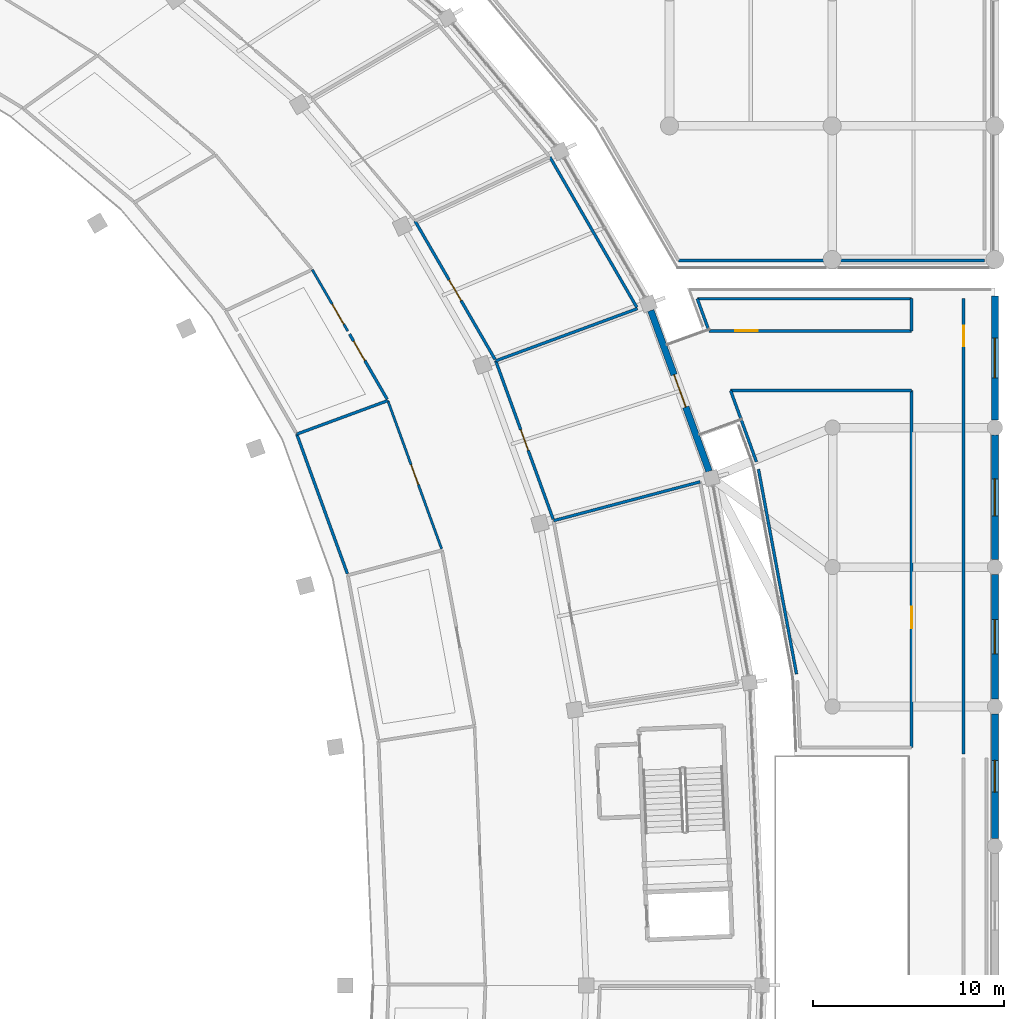
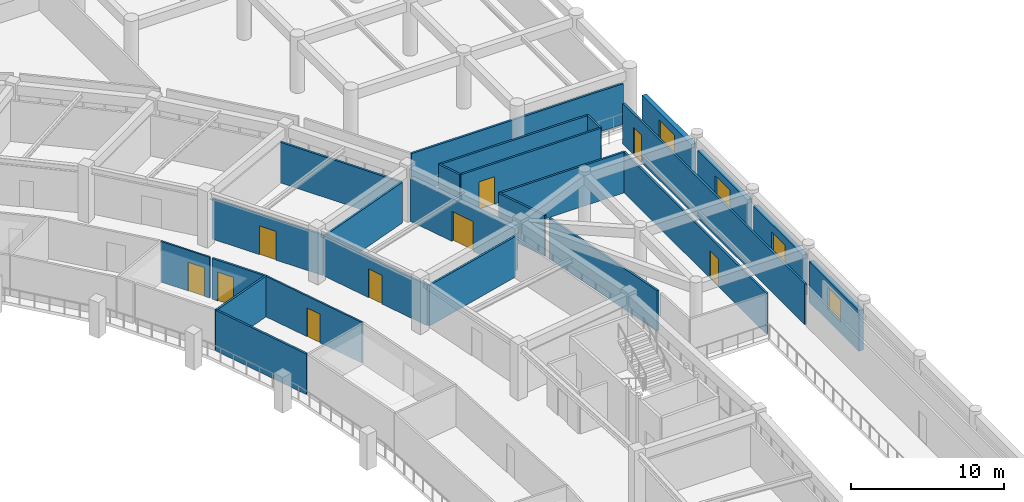
# One storey, part 102 of 141: 25 walls, 9 doors, 4 windows, 13 openings.
"""IFC4 building model written with IfcOpenShell, lengths in metres."""

from ifc_helpers import new_model, si_unit, direction, frame, frame_2d, origin, place, context, subcontext, project, spatial, rectangle, extrude, material, layer, layer_set, type_object, element, fill, save


model = new_model("IFC4")

# Units and contexts
model_context = context("Model", 3, precision=1e-05, world=origin(), true_north=direction((0.0, 1.0)))
body_context = subcontext(model_context, "Body", "Model", "MODEL_VIEW")
ifc_project = project(units=[si_unit("LENGTHUNIT", "METRE"), si_unit("AREAUNIT", "SQUARE_METRE"), si_unit("VOLUMEUNIT", "CUBIC_METRE"), si_unit("PLANEANGLEUNIT", "RADIAN"), si_unit("MASSUNIT", "GRAM", prefix="KILO")], contexts=[model_context])

# Site, building, storey
site_placement = place(None, origin())
site = spatial("IfcSite", under=ifc_project, at=site_placement, CompositionType="ELEMENT")
building_placement = place(site_placement, origin())
building = spatial("IfcBuilding", under=site, at=building_placement, Name="Mphavela Belvedere Stadium", CompositionType="ELEMENT")
storey_placement = place(building_placement, frame((0.0, 0.0, 14.699951171875)))
storey = spatial("IfcBuildingStorey", under=building, at=storey_placement, Name="L03", CompositionType="ELEMENT", Elevation=14.699951171875)

# Wall, opening, door
ifc_material_1 = material(Name="Honed ashlar limestone masonry", Category="masonry")
ifc_layer_1 = layer(ifc_material_1, 0.35009765625)
ifc_layer_set_1 = layer_set([ifc_layer_1], Name="Honed ashlar limestone masonry")
wall_type_1 = type_object("IfcWallType", Name="WAL-EXT-ASHLAR-350", PredefinedType="STANDARD", material=ifc_layer_set_1)
wall_1_placement = place(storey_placement, frame((211.9833984375, 122.331787109375, 0.0), z_axis=(0.0, 0.0, 1.0), x_axis=(0.341014063491, -0.94005819421, 0.0)))
wall_1 = element("IfcWall", 1, at=wall_1_placement, inside=storey, type_object=wall_type_1, Name="Classical link portal wall L03-03", PredefinedType="STANDARD", context=body_context, shape_type="SweptSolid", body=[
    extrude(rectangle(XDim=8.95556640625, YDim=0.35009765625, at=frame_2d((4.477783203125, 0.0))), origin(), (0.0, 0.0, 1.0), 3.420166015625),
])
opening_1_placement = place(wall_1_placement, frame((3.57763671875, 0.0, 0.0)))
opening_1 = element("IfcOpeningElement", 2, at=opening_1_placement, cuts=wall_1, Name="Opening ID-9302", PredefinedType="OPENING", context=body_context, shape_type="SweptSolid", body=[
    extrude(rectangle(XDim=1.800048828125, YDim=2.39990234375, at=frame_2d((0.89990234375, 1.199951171875))), frame((0.0, 0.18505859375, 0.0), z_axis=(0.0, -1.0, 0.0), x_axis=(1.0, 0.0, 0.0)), (0.0, 0.0, 1.0), 0.3701171875),
])
ifc_material_2 = material(Name="Glazed bronze-anodised steel exit doorset", Category="steel")
door_type_1 = type_object("IfcDoorType", Name="DR-EXT-01", OperationType="NOTDEFINED", PredefinedType="DOOR", material=ifc_material_2)
door_1_placement = place(opening_1_placement, origin())
door_1 = element("IfcDoor", 3, at=door_1_placement, inside=storey, type_object=door_type_1, Name="Wing promenade link doorset L03-03", OperationType="DOUBLE_DOOR_SINGLE_SWING", OverallHeight=2.39990234375, OverallWidth=1.800048828125, PredefinedType="DOOR", context=body_context, shape_type="SweptSolid", body=[
    extrude(rectangle(XDim=1.800048828125, YDim=2.39990234375, at=frame_2d((0.89990234375, 1.199951171875))), frame((0.0, 0.02490234375, 0.0), z_axis=(0.0, -1.0, 0.0), x_axis=(1.0, 0.0, 0.0)), (0.0, 0.0, 1.0), 0.050048828125),
])
fill(opening_1, door_1)

# Wall, opening, window
wall_2_placement = place(storey_placement, frame((230.0, 101.201904296875, 0.0), z_axis=(0.0, 0.0, 1.0), x_axis=(0.0, -1.0, 0.0)))
wall_2 = element("IfcWall", 4, at=wall_2_placement, inside=storey, type_object=wall_type_1, Name="East Planted Eaves Peristyle Colonnade outer facade bay L03-07", PredefinedType="STANDARD", context=body_context, shape_type="SweptSolid", body=[
    extrude(rectangle(XDim=6.50390625, YDim=0.35009765625, at=frame_2d((3.251953125, 0.0))), origin(), (0.0, 0.0, 1.0), 3.260009765625),
])
opening_2_placement = place(wall_2_placement, frame((2.422119140625, 0.0, 0.89990234375)))
opening_2 = element("IfcOpeningElement", 5, at=opening_2_placement, cuts=wall_2, Name="Opening W-324", PredefinedType="OPENING", context=body_context, shape_type="SweptSolid", body=[
    extrude(rectangle(XDim=1.659912109375, YDim=1.75, at=frame_2d((0.830078125, 0.875))), frame((0.0, 0.18505859375, 0.0), z_axis=(0.0, -1.0, 0.0), x_axis=(1.0, 0.0, 0.0)), (0.0, 0.0, 1.0), 0.3701171875),
])
ifc_material_3 = material(Name="Bronze-anodised thermally broken aluminium window", Category="aluminium")
window_type_1 = type_object("IfcWindowType", Name="WIN-EXT-16", PartitioningType="SINGLE_PANEL", PredefinedType="WINDOW", material=ifc_material_3)
window_1_placement = place(opening_2_placement, origin())
window_1 = element("IfcWindow", 6, at=window_1_placement, inside=storey, type_object=window_type_1, Name="East Planted Eaves Peristyle Colonnade classical window W-324", OverallHeight=1.75, OverallWidth=1.659912109375, PartitioningType="SINGLE_PANEL", PredefinedType="WINDOW", context=body_context, shape_type="SweptSolid", body=[
    extrude(rectangle(XDim=1.659912109375, YDim=1.75, at=frame_2d((0.830078125, 0.875))), frame((0.0, 0.030029296875, 0.0), z_axis=(0.0, -1.0, 0.0), x_axis=(1.0, 0.0, 0.0)), (0.0, 0.0, 1.0), 0.06005859375),
])
fill(opening_2, window_1)

wall_3_placement = place(storey_placement, frame((230.0, 108.501953125, 0.0), z_axis=(0.0, 0.0, 1.0), x_axis=(0.0, -1.0, 0.0)))
wall_3 = element("IfcWall", 7, at=wall_3_placement, inside=storey, type_object=wall_type_1, Name="East Planted Eaves Peristyle Colonnade outer facade bay L03-08", PredefinedType="STANDARD", context=body_context, shape_type="SweptSolid", body=[
    extrude(rectangle(XDim=6.50390625, YDim=0.35009765625, at=frame_2d((3.251953125, 0.0))), origin(), (0.0, 0.0, 1.0), 3.260009765625),
])
opening_3_placement = place(wall_3_placement, frame((2.35205078125, 0.0, 0.89990234375)))
opening_3 = element("IfcOpeningElement", 8, at=opening_3_placement, cuts=wall_3, Name="Opening W-325", PredefinedType="OPENING", context=body_context, shape_type="SweptSolid", body=[
    extrude(rectangle(XDim=1.800048828125, YDim=1.75, at=frame_2d((0.89990234375, 0.875))), frame((0.0, 0.18505859375, 0.0), z_axis=(0.0, -1.0, 0.0), x_axis=(1.0, 0.0, 0.0)), (0.0, 0.0, 1.0), 0.3701171875),
])
ifc_material_4 = material(Name="Bronze-anodised thermally broken aluminium window", Category="aluminium")
window_type_2 = type_object("IfcWindowType", Name="WIN-EXT-17", PartitioningType="SINGLE_PANEL", PredefinedType="WINDOW", material=ifc_material_4)
window_2_placement = place(opening_3_placement, origin())
window_2 = element("IfcWindow", 9, at=window_2_placement, inside=storey, type_object=window_type_2, Name="East Planted Eaves Peristyle Colonnade classical window W-325", OverallHeight=1.75, OverallWidth=1.800048828125, PartitioningType="SINGLE_PANEL", PredefinedType="WINDOW", context=body_context, shape_type="SweptSolid", body=[
    extrude(rectangle(XDim=1.800048828125, YDim=1.75, at=frame_2d((0.89990234375, 0.875))), frame((0.0, 0.030029296875, 0.0), z_axis=(0.0, -1.0, 0.0), x_axis=(1.0, 0.0, 0.0)), (0.0, 0.0, 1.0), 0.06005859375),
])
fill(opening_3, window_2)

wall_4_placement = place(storey_placement, frame((230.0, 115.802001953125, 0.0), z_axis=(0.0, 0.0, 1.0), x_axis=(0.0, -1.0, 0.0)))
wall_4 = element("IfcWall", 10, at=wall_4_placement, inside=storey, type_object=wall_type_1, Name="East Planted Eaves Peristyle Colonnade outer facade bay L03-09", PredefinedType="STANDARD", context=body_context, shape_type="SweptSolid", body=[
    extrude(rectangle(XDim=6.50390625, YDim=0.35009765625, at=frame_2d((3.251953125, 0.0))), origin(), (0.0, 0.0, 1.0), 3.260009765625),
])
opening_4_placement = place(wall_4_placement, frame((2.281982421875, 0.0, 0.89990234375)))
opening_4 = element("IfcOpeningElement", 11, at=opening_4_placement, cuts=wall_4, Name="Opening W-326", PredefinedType="OPENING", context=body_context, shape_type="SweptSolid", body=[
    extrude(rectangle(XDim=1.93994140625, YDim=1.75, at=frame_2d((0.969970703125, 0.875))), frame((0.0, 0.18505859375, 0.0), z_axis=(0.0, -1.0, 0.0), x_axis=(1.0, 0.0, 0.0)), (0.0, 0.0, 1.0), 0.3701171875),
])
ifc_material_5 = material(Name="Bronze-anodised thermally broken aluminium window", Category="aluminium")
window_type_3 = type_object("IfcWindowType", Name="WIN-EXT-18", PartitioningType="SINGLE_PANEL", PredefinedType="WINDOW", material=ifc_material_5)
window_3_placement = place(opening_4_placement, origin())
window_3 = element("IfcWindow", 12, at=window_3_placement, inside=storey, type_object=window_type_3, Name="East Planted Eaves Peristyle Colonnade classical window W-326", OverallHeight=1.75, OverallWidth=1.93994140625, PartitioningType="SINGLE_PANEL", PredefinedType="WINDOW", context=body_context, shape_type="SweptSolid", body=[
    extrude(rectangle(XDim=1.93994140625, YDim=1.75, at=frame_2d((0.969970703125, 0.875))), frame((0.0, 0.030029296875, 0.0), z_axis=(0.0, -1.0, 0.0), x_axis=(1.0, 0.0, 0.0)), (0.0, 0.0, 1.0), 0.06005859375),
])
fill(opening_4, window_3)

wall_5_placement = place(storey_placement, frame((230.0, 123.10205078125, 0.0), z_axis=(0.0, 0.0, 1.0), x_axis=(0.0, -1.0, 0.0)))
wall_5 = element("IfcWall", 13, at=wall_5_placement, inside=storey, type_object=wall_type_1, Name="East Planted Eaves Peristyle Colonnade outer facade bay L03-10", PredefinedType="STANDARD", context=body_context, shape_type="SweptSolid", body=[
    extrude(rectangle(XDim=6.504150390625, YDim=0.35009765625, at=frame_2d((3.251953125, 0.0))), origin(), (0.0, 0.0, 1.0), 3.260009765625),
])
opening_5_placement = place(wall_5_placement, frame((2.2119140625, 0.0, 0.89990234375)))
opening_5 = element("IfcOpeningElement", 14, at=opening_5_placement, cuts=wall_5, Name="Opening W-327", PredefinedType="OPENING", context=body_context, shape_type="SweptSolid", body=[
    extrude(rectangle(XDim=2.080078125, YDim=1.75, at=frame_2d((1.0400390625, 0.875))), frame((0.0, 0.18505859375, 0.0), z_axis=(0.0, -1.0, 0.0), x_axis=(1.0, 0.0, 0.0)), (0.0, 0.0, 1.0), 0.3701171875),
])
ifc_material_6 = material(Name="Bronze-anodised thermally broken aluminium window", Category="aluminium")
window_type_4 = type_object("IfcWindowType", Name="WIN-EXT-19", PartitioningType="SINGLE_PANEL", PredefinedType="WINDOW", material=ifc_material_6)
window_4_placement = place(opening_5_placement, origin())
window_4 = element("IfcWindow", 15, at=window_4_placement, inside=storey, type_object=window_type_4, Name="East Planted Eaves Peristyle Colonnade classical window W-327", OverallHeight=1.75, OverallWidth=2.080078125, PartitioningType="SINGLE_PANEL", PredefinedType="WINDOW", context=body_context, shape_type="SweptSolid", body=[
    extrude(rectangle(XDim=2.080078125, YDim=1.75, at=frame_2d((1.0400390625, 0.875))), frame((0.0, 0.030029296875, 0.0), z_axis=(0.0, -1.0, 0.0), x_axis=(1.0, 0.0, 0.0)), (0.0, 0.0, 1.0), 0.06005859375),
])
fill(opening_5, window_4)

# Wall, opening, door
ifc_material_7 = material(Name="Moisture-resistant sanitary partition assembly")
ifc_layer_2 = layer(ifc_material_7, 0.125)
ifc_layer_set_2 = layer_set([ifc_layer_2], Name="Moisture-resistant sanitary partition assembly")
wall_type_2 = type_object("IfcWallType", Name="WAL-PART-125", PredefinedType="PARTITIONING", material=ifc_layer_set_2)
wall_6_placement = place(storey_placement, frame((198.217529296875, 117.615234375, 0.0), z_axis=(0.0, 0.0, 1.0), x_axis=(0.341044733968, -0.940047067669, 0.0)))
wall_6 = element("IfcWall", 16, at=wall_6_placement, inside=storey, type_object=wall_type_2, Name="Room L03-39 corridor partition", PredefinedType="PARTITIONING", context=body_context, shape_type="SweptSolid", body=[
    extrude(rectangle(XDim=8.25390625, YDim=0.125, at=frame_2d((4.126953125, 0.0))), origin(), (0.0, 0.0, 1.0), 3.25),
])
opening_6_placement = place(wall_6_placement, frame((3.576904296875, 0.0, 0.0)))
opening_6 = element("IfcOpeningElement", 17, at=opening_6_placement, cuts=wall_6, Name="Opening ID-246", PredefinedType="OPENING", context=body_context, shape_type="SweptSolid", body=[
    extrude(rectangle(XDim=1.10009765625, YDim=2.300048828125, at=frame_2d((0.550048828125, 1.14990234375))), frame((0.0, 0.072509765625, 0.0), z_axis=(0.0, -1.0, 0.0), x_axis=(1.0, 0.0, 0.0)), (0.0, 0.0, 1.0), 0.14501953125),
])
ifc_material_8 = material(Name="Hardwood acoustic timber doorset", Category="wood")
door_type_2 = type_object("IfcDoorType", Name="DR-INT-30", OperationType="NOTDEFINED", PredefinedType="DOOR", material=ifc_material_8)
door_2_placement = place(opening_6_placement, origin())
door_2 = element("IfcDoor", 18, at=door_2_placement, inside=storey, type_object=door_type_2, Name="Room L03-39 entrance door ID-246", OperationType="SINGLE_SWING_RIGHT", OverallHeight=2.300048828125, OverallWidth=1.10009765625, PredefinedType="DOOR", context=body_context, shape_type="SweptSolid", body=[
    extrude(rectangle(XDim=1.10009765625, YDim=2.300048828125, at=frame_2d((0.550048828125, 1.14990234375))), frame((0.0, 0.02490234375, 0.0), z_axis=(0.0, -1.0, 0.0), x_axis=(1.0, 0.0, 0.0)), (0.0, 0.0, 1.0), 0.050048828125),
])
fill(opening_6, door_2)

wall_7_placement = place(storey_placement, frame((194.260009765625, 124.47216796875, 0.0), z_axis=(0.0, 0.0, 1.0), x_axis=(0.500582967596, -0.865688565566, 0.0)))
wall_7 = element("IfcWall", 19, at=wall_7_placement, inside=storey, type_object=wall_type_2, Name="Room L03-43 corridor partition", PredefinedType="PARTITIONING", context=body_context, shape_type="SweptSolid", body=[
    extrude(rectangle(XDim=3.7158203125, YDim=0.125, at=frame_2d((1.85791015625, 0.0))), origin(), (0.0, 0.0, 1.0), 3.25),
])
opening_7_placement = place(wall_7_placement, frame((2.0830078125, 0.0, 0.0)))
opening_7 = element("IfcOpeningElement", 20, at=opening_7_placement, cuts=wall_7, Name="Opening ID-249", PredefinedType="OPENING", context=body_context, shape_type="SweptSolid", body=[
    extrude(rectangle(XDim=1.219970703125, YDim=2.300048828125, at=frame_2d((0.60986328125, 1.14990234375))), frame((0.0, 0.072509765625, 0.0), z_axis=(0.0, -1.0, 0.0), x_axis=(1.0, 0.0, 0.0)), (0.0, 0.0, 1.0), 0.14501953125),
])
ifc_material_9 = material(Name="Hardwood acoustic timber doorset", Category="wood")
door_type_3 = type_object("IfcDoorType", Name="DR-INT-33", OperationType="NOTDEFINED", PredefinedType="DOOR", material=ifc_material_9)
door_3_placement = place(opening_7_placement, origin())
door_3 = element("IfcDoor", 21, at=door_3_placement, inside=storey, type_object=door_type_3, Name="Room L03-43 entrance door ID-249", OperationType="SINGLE_SWING_LEFT", OverallHeight=2.300048828125, OverallWidth=1.219970703125, PredefinedType="DOOR", context=body_context, shape_type="SweptSolid", body=[
    extrude(rectangle(XDim=1.219970703125, YDim=2.300048828125, at=frame_2d((0.60986328125, 1.14990234375))), frame((0.0, 0.02490234375, 0.0), z_axis=(0.0, -1.0, 0.0), x_axis=(1.0, 0.0, 0.0)), (0.0, 0.0, 1.0), 0.050048828125),
])
fill(opening_7, door_3)

ifc_material_10 = material(Name="Acoustic gypsum stud partition assembly")
ifc_layer_3 = layer(ifc_material_10, 0.14990234375)
ifc_layer_set_3 = layer_set([ifc_layer_3], Name="Acoustic gypsum stud partition assembly")
wall_type_3 = type_object("IfcWallType", Name="WAL-PART-150", PredefinedType="PARTITIONING", material=ifc_layer_set_3)
wall_8_placement = place(storey_placement, frame((206.874267578125, 111.4052734375, 0.0), z_axis=(0.0, 0.0, 1.0), x_axis=(-0.341031741571, 0.940051781149, 0.0)))
wall_8 = element("IfcWall", 22, at=wall_8_placement, inside=storey, type_object=wall_type_3, Name="Room L03-40 corridor partition", PredefinedType="PARTITIONING", context=body_context, shape_type="SweptSolid", body=[
    extrude(rectangle(XDim=8.81982421875, YDim=0.14990234375, at=frame_2d((4.409912109375, 0.0))), origin(), (0.0, 0.0, 1.0), 3.25),
])
opening_8_placement = place(wall_8_placement, frame((3.83984375, 0.0, 0.0)))
opening_8 = element("IfcOpeningElement", 23, at=opening_8_placement, cuts=wall_8, Name="Opening ID-247", PredefinedType="OPENING", context=body_context, shape_type="SweptSolid", body=[
    extrude(rectangle(XDim=1.139892578125, YDim=2.300048828125, at=frame_2d((0.56982421875, 1.14990234375))), frame((0.0, 0.0849609375, 0.0), z_axis=(0.0, -1.0, 0.0), x_axis=(1.0, 0.0, 0.0)), (0.0, 0.0, 1.0), 0.169921875),
])
ifc_material_11 = material(Name="Hardwood acoustic timber doorset", Category="wood")
door_type_4 = type_object("IfcDoorType", Name="DR-INT-31", OperationType="NOTDEFINED", PredefinedType="DOOR", material=ifc_material_11)
door_4_placement = place(opening_8_placement, origin())
door_4 = element("IfcDoor", 24, at=door_4_placement, inside=storey, type_object=door_type_4, Name="Room L03-40 entrance door ID-247", OperationType="SINGLE_SWING_LEFT", OverallHeight=2.300048828125, OverallWidth=1.139892578125, PredefinedType="DOOR", context=body_context, shape_type="SweptSolid", body=[
    extrude(rectangle(XDim=1.139892578125, YDim=2.300048828125, at=frame_2d((0.56982421875, 1.14990234375))), frame((0.0, 0.02490234375, 0.0), z_axis=(0.0, -1.0, 0.0), x_axis=(1.0, 0.0, 0.0)), (0.0, 0.0, 1.0), 0.050048828125),
])
fill(opening_8, door_4)

wall_9_placement = place(storey_placement, frame((196.212646484375, 121.09521484375, 0.0), z_axis=(0.0, 0.0, 1.0), x_axis=(0.500601005137, -0.865678135138, 0.0)))
wall_9 = element("IfcWall", 25, at=wall_9_placement, inside=storey, type_object=wall_type_3, Name="Room L03-42 corridor partition", PredefinedType="PARTITIONING", context=body_context, shape_type="SweptSolid", body=[
    extrude(rectangle(XDim=3.936279296875, YDim=0.14990234375, at=frame_2d((1.96826171875, 0.0))), origin(), (0.0, 0.0, 1.0), 3.25),
])
opening_9_placement = place(wall_9_placement, frame((0.42578125, 0.0, 0.0)))
opening_9 = element("IfcOpeningElement", 26, at=opening_9_placement, cuts=wall_9, Name="Opening ID-248", PredefinedType="OPENING", context=body_context, shape_type="SweptSolid", body=[
    extrude(rectangle(XDim=1.179931640625, YDim=2.300048828125, at=frame_2d((0.58984375, 1.14990234375))), frame((0.0, 0.0849609375, 0.0), z_axis=(0.0, -1.0, 0.0), x_axis=(1.0, 0.0, 0.0)), (0.0, 0.0, 1.0), 0.169921875),
])
ifc_material_12 = material(Name="Hardwood acoustic timber doorset", Category="wood")
door_type_5 = type_object("IfcDoorType", Name="DR-INT-32", OperationType="NOTDEFINED", PredefinedType="DOOR", material=ifc_material_12)
door_5_placement = place(opening_9_placement, origin())
door_5 = element("IfcDoor", 27, at=door_5_placement, inside=storey, type_object=door_type_5, Name="Room L03-42 entrance door ID-248", OperationType="SINGLE_SWING_RIGHT", OverallHeight=2.300048828125, OverallWidth=1.179931640625, PredefinedType="DOOR", context=body_context, shape_type="SweptSolid", body=[
    extrude(rectangle(XDim=1.179931640625, YDim=2.300048828125, at=frame_2d((0.58984375, 1.14990234375))), frame((0.0, 0.02490234375, 0.0), z_axis=(0.0, -1.0, 0.0), x_axis=(1.0, 0.0, 0.0)), (0.0, 0.0, 1.0), 0.050048828125),
])
fill(opening_9, door_5)

wall_10_placement = place(storey_placement, frame((203.8330078125, 119.769287109375, 0.0), z_axis=(0.0, 0.0, 1.0), x_axis=(-0.500559280672, 0.865702262059, 0.0)))
wall_10 = element("IfcWall", 28, at=wall_10_placement, inside=storey, type_object=wall_type_3, Name="Room L03-44 corridor partition", PredefinedType="PARTITIONING", context=body_context, shape_type="SweptSolid", body=[
    extrude(rectangle(XDim=8.37451171875, YDim=0.14990234375, at=frame_2d((4.187255859375, 0.0))), origin(), (0.0, 0.0, 1.0), 3.25),
])
opening_10_placement = place(wall_10_placement, frame((3.557373046875, 0.0, 0.0)))
opening_10 = element("IfcOpeningElement", 29, at=opening_10_placement, cuts=wall_10, Name="Opening ID-250", PredefinedType="OPENING", context=body_context, shape_type="SweptSolid", body=[
    extrude(rectangle(XDim=1.260009765625, YDim=2.300048828125, at=frame_2d((0.6298828125, 1.14990234375))), frame((0.0, 0.0849609375, 0.0), z_axis=(0.0, -1.0, 0.0), x_axis=(1.0, 0.0, 0.0)), (0.0, 0.0, 1.0), 0.169921875),
])
ifc_material_13 = material(Name="Hardwood acoustic timber doorset", Category="wood")
door_type_6 = type_object("IfcDoorType", Name="DR-INT-34", OperationType="NOTDEFINED", PredefinedType="DOOR", material=ifc_material_13)
door_6_placement = place(opening_10_placement, origin())
door_6 = element("IfcDoor", 30, at=door_6_placement, inside=storey, type_object=door_type_6, Name="Room L03-44 entrance door ID-250", OperationType="SINGLE_SWING_RIGHT", OverallHeight=2.300048828125, OverallWidth=1.260009765625, PredefinedType="DOOR", context=body_context, shape_type="SweptSolid", body=[
    extrude(rectangle(XDim=1.260009765625, YDim=2.300048828125, at=frame_2d((0.6298828125, 1.14990234375))), frame((0.0, 0.02490234375, 0.0), z_axis=(0.0, -1.0, 0.0), x_axis=(1.0, 0.0, 0.0)), (0.0, 0.0, 1.0), 0.050048828125),
])
fill(opening_10, door_6)

wall_11_placement = place(storey_placement, frame((228.360107421875, 99.11669921875, 0.0), z_axis=(0.0, 0.0, 1.0), x_axis=(0.0, 1.0, 0.0)))
wall_11 = element("IfcWall", 31, at=wall_11_placement, inside=storey, type_object=wall_type_3, Name="Room L03-204 corridor partition", PredefinedType="PARTITIONING", context=body_context, shape_type="SweptSolid", body=[
    extrude(rectangle(XDim=23.833251953125, YDim=0.14990234375, at=frame_2d((11.91650390625, 0.0))), origin(), (0.0, 0.0, 1.0), 3.25),
])
opening_11_placement = place(wall_11_placement, frame((21.3466796875, 0.0, 0.0)))
opening_11 = element("IfcOpeningElement", 32, at=opening_11_placement, cuts=wall_11, Name="Opening ID-557", PredefinedType="OPENING", context=body_context, shape_type="SweptSolid", body=[
    extrude(rectangle(XDim=1.06005859375, YDim=2.199951171875, at=frame_2d((0.530029296875, 1.10009765625))), frame((0.0, 0.0849609375, 0.0), z_axis=(0.0, -1.0, 0.0), x_axis=(1.0, 0.0, 0.0)), (0.0, 0.0, 1.0), 0.169921875),
])
ifc_material_14 = material(Name="Hardwood acoustic timber doorset", Category="wood")
door_type_7 = type_object("IfcDoorType", Name="DR-INT-17", OperationType="NOTDEFINED", PredefinedType="DOOR", material=ifc_material_14)
door_7_placement = place(opening_11_placement, origin())
door_7 = element("IfcDoor", 33, at=door_7_placement, inside=storey, type_object=door_type_7, Name="Room L03-204 entrance door ID-557", OperationType="SINGLE_SWING_LEFT", OverallHeight=2.199951171875, OverallWidth=1.06005859375, PredefinedType="DOOR", context=body_context, shape_type="SweptSolid", body=[
    extrude(rectangle(XDim=1.06005859375, YDim=2.199951171875, at=frame_2d((0.530029296875, 1.10009765625))), frame((0.0, 0.02490234375, 0.0), z_axis=(0.0, -1.0, 0.0), x_axis=(1.0, 0.0, 0.0)), (0.0, 0.0, 1.0), 0.050048828125),
])
fill(opening_11, door_7)

wall_12_placement = place(storey_placement, frame((225.639892578125, 118.139892578125, 0.0), z_axis=(0.0, 0.0, 1.0), x_axis=(0.0, -1.0, 0.0)))
wall_12 = element("IfcWall", 34, at=wall_12_placement, inside=storey, type_object=wall_type_3, Name="Room L03-206 corridor partition", PredefinedType="PARTITIONING", context=body_context, shape_type="SweptSolid", body=[
    extrude(rectangle(XDim=18.68994140625, YDim=0.14990234375, at=frame_2d((9.344970703125, 0.0))), origin(), (0.0, 0.0, 1.0), 3.25),
])
opening_12_placement = place(wall_12_placement, frame((11.3115234375, 0.0, 0.0)))
opening_12 = element("IfcOpeningElement", 35, at=opening_12_placement, cuts=wall_12, Name="Opening ID-559", PredefinedType="OPENING", context=body_context, shape_type="SweptSolid", body=[
    extrude(rectangle(XDim=1.139892578125, YDim=2.199951171875, at=frame_2d((0.56982421875, 1.10009765625))), frame((0.0, 0.0849609375, 0.0), z_axis=(0.0, -1.0, 0.0), x_axis=(1.0, 0.0, 0.0)), (0.0, 0.0, 1.0), 0.169921875),
])
ifc_material_15 = material(Name="Hardwood acoustic timber doorset", Category="wood")
door_type_8 = type_object("IfcDoorType", Name="DR-INT-19", OperationType="NOTDEFINED", PredefinedType="DOOR", material=ifc_material_15)
door_8_placement = place(opening_12_placement, origin())
door_8 = element("IfcDoor", 36, at=door_8_placement, inside=storey, type_object=door_type_8, Name="Room L03-206 entrance door ID-559", OperationType="SINGLE_SWING_LEFT", OverallHeight=2.199951171875, OverallWidth=1.139892578125, PredefinedType="DOOR", context=body_context, shape_type="SweptSolid", body=[
    extrude(rectangle(XDim=1.139892578125, YDim=2.199951171875, at=frame_2d((0.56982421875, 1.10009765625))), frame((0.0, 0.02490234375, 0.0), z_axis=(0.0, -1.0, 0.0), x_axis=(1.0, 0.0, 0.0)), (0.0, 0.0, 1.0), 0.050048828125),
])
fill(opening_12, door_8)

wall_13_placement = place(storey_placement, frame((225.639892578125, 121.260009765625, 0.0), z_axis=(0.0, 0.0, 1.0), x_axis=(-1.0, 0.0, 0.0)))
wall_13 = element("IfcWall", 37, at=wall_13_placement, inside=storey, type_object=wall_type_3, Name="Room L03-207 corridor partition", PredefinedType="PARTITIONING", context=body_context, shape_type="SweptSolid", body=[
    extrude(rectangle(XDim=10.6083984375, YDim=0.14990234375, at=frame_2d((5.30419921875, 0.0))), origin(), (0.0, 0.0, 1.0), 3.25),
])
opening_13_placement = place(wall_13_placement, frame((8.053955078125, 0.0, 0.0)))
opening_13 = element("IfcOpeningElement", 38, at=opening_13_placement, cuts=wall_13, Name="Opening ID-560", PredefinedType="OPENING", context=body_context, shape_type="SweptSolid", body=[
    extrude(rectangle(XDim=1.179931640625, YDim=2.199951171875, at=frame_2d((0.58984375, 1.10009765625))), frame((0.0, 0.0849609375, 0.0), z_axis=(0.0, -1.0, 0.0), x_axis=(1.0, 0.0, 0.0)), (0.0, 0.0, 1.0), 0.169921875),
])
ifc_material_16 = material(Name="Hardwood acoustic timber doorset", Category="wood")
door_type_9 = type_object("IfcDoorType", Name="DR-INT-20", OperationType="NOTDEFINED", PredefinedType="DOOR", material=ifc_material_16)
door_9_placement = place(opening_13_placement, origin())
door_9 = element("IfcDoor", 39, at=door_9_placement, inside=storey, type_object=door_type_9, Name="Room L03-207 entrance door ID-560", OperationType="SINGLE_SWING_RIGHT", OverallHeight=2.199951171875, OverallWidth=1.179931640625, PredefinedType="DOOR", context=body_context, shape_type="SweptSolid", body=[
    extrude(rectangle(XDim=1.179931640625, YDim=2.199951171875, at=frame_2d((0.58984375, 1.10009765625))), frame((0.0, 0.02490234375, 0.0), z_axis=(0.0, -1.0, 0.0), x_axis=(1.0, 0.0, 0.0)), (0.0, 0.0, 1.0), 0.050048828125),
])
fill(opening_13, door_9)

# Walls
wall_14_placement = place(storey_placement, frame((206.895263671875, 111.328125, 0.0), z_axis=(0.0, 0.0, 1.0), x_axis=(0.966593450181, 0.25631445934, 0.0)))
element("IfcWall", 40, at=wall_14_placement, inside=storey, type_object=wall_type_3, Name="Room divider partition L03-0439", PredefinedType="PARTITIONING", context=body_context, shape_type="SweptSolid", body=[
    extrude(rectangle(XDim=7.936279296875, YDim=0.14990234375, at=frame_2d((3.96826171875, 0.0))), origin(), (0.0, 0.0, 1.0), 3.25),
])
wall_15_placement = place(storey_placement, frame((196.101806640625, 108.548583984375, 0.0), z_axis=(0.0, 0.0, 1.0), x_axis=(-0.341049747433, 0.940045248792, 0.0)))
element("IfcWall", 41, at=wall_15_placement, inside=storey, type_object=wall_type_3, Name="Room divider partition L03-0442", PredefinedType="PARTITIONING", context=body_context, shape_type="SweptSolid", body=[
    extrude(rectangle(XDim=7.7763671875, YDim=0.14990234375, at=frame_2d((3.88818359375, 0.0))), origin(), (0.0, 0.0, 1.0), 3.25),
])
wall_16_placement = place(storey_placement, frame((193.44970703125, 115.858642578125, 0.0), z_axis=(0.0, 0.0, 1.0), x_axis=(0.938341476122, 0.34570981211, 0.0)))
element("IfcWall", 42, at=wall_16_placement, inside=storey, type_object=wall_type_3, Name="Room divider partition L03-0443", PredefinedType="PARTITIONING", context=body_context, shape_type="SweptSolid", body=[
    extrude(rectangle(XDim=5.0810546875, YDim=0.14990234375, at=frame_2d((2.54052734375, 0.0))), origin(), (0.0, 0.0, 1.0), 3.25),
])
wall_17_placement = place(storey_placement, frame((203.866455078125, 119.6962890625, 0.0), z_axis=(0.0, 0.0, 1.0), x_axis=(0.938346807893, 0.345695340028, 0.0)))
element("IfcWall", 43, at=wall_17_placement, inside=storey, type_object=wall_type_3, Name="Room divider partition L03-0444", PredefinedType="PARTITIONING", context=body_context, shape_type="SweptSolid", body=[
    extrude(rectangle(XDim=7.90478515625, YDim=0.14990234375, at=frame_2d((3.952392578125, 0.0))), origin(), (0.0, 0.0, 1.0), 3.25),
])
wall_18_placement = place(storey_placement, frame((206.7041015625, 130.3623046875, 0.0), z_axis=(0.0, 0.0, 1.0), x_axis=(0.500574107164, -0.865693689036, 0.0)))
element("IfcWall", 44, at=wall_18_placement, inside=storey, type_object=wall_type_3, Name="Room divider partition L03-0449", PredefinedType="PARTITIONING", context=body_context, shape_type="SweptSolid", body=[
    extrude(rectangle(XDim=9.080322265625, YDim=0.14990234375, at=frame_2d((4.5400390625, 0.0))), origin(), (0.0, 0.0, 1.0), 3.25),
])
wall_19_placement = place(storey_placement, frame((229.449951171875, 124.949951171875, 0.0), z_axis=(0.0, 0.0, 1.0), x_axis=(-1.0, 0.0, 0.0)))
element("IfcWall", 45, at=wall_19_placement, inside=storey, type_object=wall_type_3, Name="Room divider partition L03-1066", PredefinedType="PARTITIONING", context=body_context, shape_type="SweptSolid", body=[
    extrude(rectangle(XDim=16.017333984375, YDim=0.14990234375, at=frame_2d((8.0087890625, 0.0))), origin(), (0.0, 0.0, 1.0), 3.25),
])
wall_20_placement = place(storey_placement, frame((219.61328125, 103.301513671875, 0.0), z_axis=(0.0, 0.0, 1.0), x_axis=(-0.182620957058, 0.983183393901, 0.0)))
element("IfcWall", 46, at=wall_20_placement, inside=storey, type_object=wall_type_3, Name="Room divider partition L03-1277", PredefinedType="PARTITIONING", context=body_context, shape_type="SweptSolid", body=[
    extrude(rectangle(XDim=10.90087890625, YDim=0.14990234375, at=frame_2d((5.450439453125, 0.0))), origin(), (0.0, 0.0, 1.0), 3.25),
])
wall_21_placement = place(storey_placement, frame((217.5146484375, 114.4150390625, 0.0), z_axis=(0.0, 0.0, 1.0), x_axis=(-0.341035525383, 0.94005040845, 0.0)))
element("IfcWall", 47, at=wall_21_placement, inside=storey, type_object=wall_type_3, Name="Room divider partition L03-1278", PredefinedType="PARTITIONING", context=body_context, shape_type="SweptSolid", body=[
    extrude(rectangle(XDim=3.96240234375, YDim=0.14990234375, at=frame_2d((1.981201171875, 0.0))), origin(), (0.0, 0.0, 1.0), 3.25),
])
wall_22_placement = place(storey_placement, frame((216.163330078125, 118.139892578125, 0.0), z_axis=(0.0, 0.0, 1.0), x_axis=(1.0, 0.0, 0.0)))
element("IfcWall", 48, at=wall_22_placement, inside=storey, type_object=wall_type_3, Name="Room divider partition L03-1279", PredefinedType="PARTITIONING", context=body_context, shape_type="SweptSolid", body=[
    extrude(rectangle(XDim=9.4765625, YDim=0.14990234375, at=frame_2d((4.73828125, 0.0))), origin(), (0.0, 0.0, 1.0), 3.25),
])
wall_23_placement = place(storey_placement, frame((215.031494140625, 121.260009765625, 0.0), z_axis=(0.0, 0.0, 1.0), x_axis=(-0.341012375502, 0.940058806541, 0.0)))
element("IfcWall", 49, at=wall_23_placement, inside=storey, type_object=wall_type_3, Name="Room divider partition L03-1282", PredefinedType="PARTITIONING", context=body_context, shape_type="SweptSolid", body=[
    extrude(rectangle(XDim=1.797607421875, YDim=0.14990234375, at=frame_2d((0.89892578125, 0.0))), origin(), (0.0, 0.0, 1.0), 3.25),
])
wall_24_placement = place(storey_placement, frame((214.41845703125, 122.949951171875, 0.0), z_axis=(0.0, 0.0, 1.0), x_axis=(1.0, 0.0, 0.0)))
element("IfcWall", 50, at=wall_24_placement, inside=storey, type_object=wall_type_3, Name="Room divider partition L03-1283", PredefinedType="PARTITIONING", context=body_context, shape_type="SweptSolid", body=[
    extrude(rectangle(XDim=11.221435546875, YDim=0.14990234375, at=frame_2d((5.61083984375, 0.0))), origin(), (0.0, 0.0, 1.0), 3.25),
])
wall_25_placement = place(storey_placement, frame((225.639892578125, 122.949951171875, 0.0), z_axis=(0.0, 0.0, 1.0), x_axis=(0.0, -1.0, 0.0)))
element("IfcWall", 51, at=wall_25_placement, inside=storey, type_object=wall_type_3, Name="Room divider partition L03-1284", PredefinedType="PARTITIONING", context=body_context, shape_type="SweptSolid", body=[
    extrude(rectangle(XDim=1.68994140625, YDim=0.14990234375, at=frame_2d((0.844970703125, 0.0))), origin(), (0.0, 0.0, 1.0), 3.25),
])

save(model, "model.ifc")
